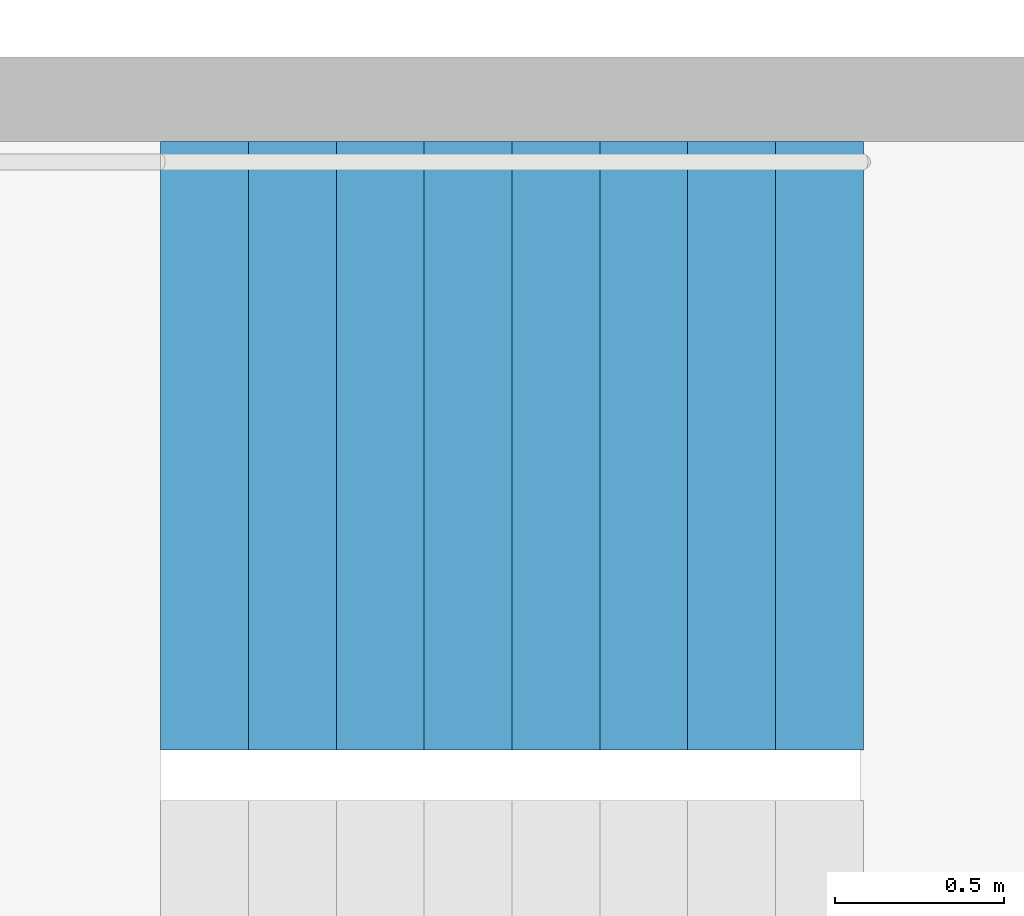
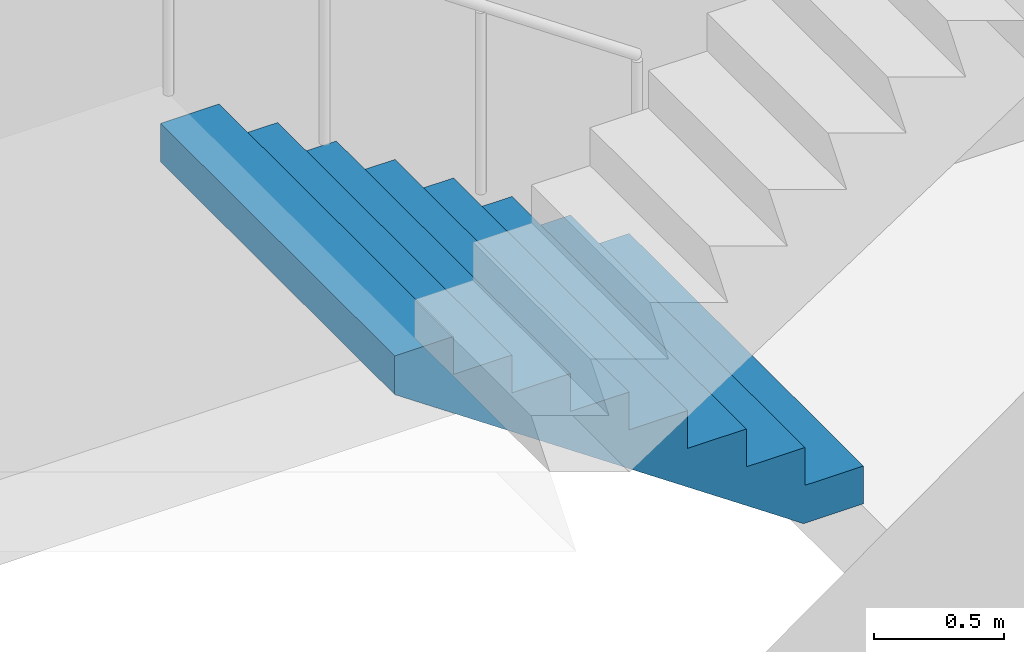
# One storey, part 22 of 29: 1 stair flight, 1 element without a shape of its own.
"""IFC4 building model written with IfcOpenShell, lengths in metres."""

from ifc_helpers import new_model, si_unit, direction, frame, origin, place, context, subcontext, project, spatial, triangles, material, type_object, element, aggregate, save


model = new_model("IFC4")

# Units and contexts
model_context = context("Model", 3, precision=1e-05, world=origin(), true_north=direction((0.0, 1.0)))
body_context = subcontext(model_context, "Body", "Model", "MODEL_VIEW")
ifc_project = project(units=[si_unit("LENGTHUNIT", "METRE"), si_unit("AREAUNIT", "SQUARE_METRE"), si_unit("VOLUMEUNIT", "CUBIC_METRE"), si_unit("PLANEANGLEUNIT", "RADIAN"), si_unit("MASSUNIT", "GRAM", prefix="KILO")], contexts=[model_context])

# Site, building, storey
site_placement = place(None, origin())
site = spatial("IfcSite", under=ifc_project, at=site_placement, CompositionType="ELEMENT")
building_placement = place(site_placement, origin())
building = spatial("IfcBuilding", under=site, at=building_placement, Name="Hakoniwa Tower and Hamabe Station Hall", CompositionType="ELEMENT")
storey_placement = place(building_placement, frame((0.0, 0.0, 101.0)))
storey = spatial("IfcBuildingStorey", under=building, at=storey_placement, Name="L28", CompositionType="ELEMENT", Elevation=101.0)

# Stair, stair flight
ifc_material_1 = material(Name="Concrete C40", Category="concrete")
stair_type = type_object("IfcStairType", Name="ESCAPE STAIR 1800", PredefinedType="HALF_TURN_STAIR", material=ifc_material_1)
stair_placement = place(storey_placement, origin())
stair = element("IfcStair", 1, at=stair_placement, inside=storey, type_object=stair_type, Name="Escape stair ST-2 L28", PredefinedType="HALF_TURN_STAIR")
ifc_material_2 = material(Name="Concrete C40", Category="concrete")
stair_flight_type = type_object("IfcStairFlightType", Name="STAIR FLIGHT 1800", PredefinedType="STRAIGHT", material=ifc_material_2)
stair_flight_placement = place(storey_placement, frame((-23.39990234375, -4.64990234375, 0.0), z_axis=(0.0, 0.0, 1.0), x_axis=(-1.0, 0.0, 0.0)))
stair_flight = element("IfcStairFlight", 2, at=stair_flight_placement, type_object=stair_flight_type, Name="ST-2 flight 1", NumberOfRisers=9, NumberOfTreads=8, PredefinedType="STRAIGHT", RiserHeight=0.177777778, TreadLength=0.26, context=body_context, shape_type="Tessellation", body=[
    triangles([(0.0, 0.89990234375, 0.0), (0.260009765625, 0.89990234375, 0.0), (0.265625, 0.89990234375, 0.0), (0.52001953125, 0.89990234375, 0.174072265625), (0.780029296875, 0.89990234375, 0.351806640625), (1.0400390625, 0.89990234375, 0.529541015625), (1.300048828125, 0.89990234375, 0.707275390625), (1.56005859375, 0.89990234375, 0.885009765625), (1.820068359375, 0.89990234375, 1.062744140625), (2.080078125, 0.89990234375, 1.24072265625), (2.080078125, 0.89990234375, 1.422119140625), (1.820068359375, 0.89990234375, 1.422119140625), (1.820068359375, 0.89990234375, 1.244384765625), (1.56005859375, 0.89990234375, 1.244384765625), (1.56005859375, 0.89990234375, 1.066650390625), (1.300048828125, 0.89990234375, 1.066650390625), (1.300048828125, 0.89990234375, 0.888916015625), (1.0400390625, 0.89990234375, 0.888916015625), (1.0400390625, 0.89990234375, 0.711181640625), (0.780029296875, 0.89990234375, 0.711181640625), (0.780029296875, 0.89990234375, 0.533447265625), (0.52001953125, 0.89990234375, 0.533447265625), (0.52001953125, 0.89990234375, 0.35546875), (0.265625, 0.89990234375, 0.35546875), (0.260009765625, 0.89990234375, 0.35546875), (0.260009765625, 0.89990234375, 0.177734375), (0.0, 0.89990234375, 0.177734375), (0.0, 0.06005859375, 0.0), (0.260009765625, 0.06005859375, 0.0), (0.265625, 0.06005859375, 0.0), (0.52001953125, 0.06005859375, 0.174072265625), (0.780029296875, 0.06005859375, 0.351806640625), (1.0400390625, 0.06005859375, 0.529541015625), (1.300048828125, 0.06005859375, 0.707275390625), (1.56005859375, 0.06005859375, 0.885009765625), (1.820068359375, 0.06005859375, 1.062744140625), (2.080078125, 0.06005859375, 1.24072265625), (2.080078125, 0.06005859375, 1.422119140625), (1.820068359375, 0.06005859375, 1.422119140625), (1.820068359375, 0.06005859375, 1.244384765625), (1.56005859375, 0.06005859375, 1.244384765625), (1.56005859375, 0.06005859375, 1.066650390625), (1.300048828125, 0.06005859375, 1.066650390625), (1.300048828125, 0.06005859375, 0.888916015625), (1.0400390625, 0.06005859375, 0.888916015625), (1.0400390625, 0.06005859375, 0.711181640625), (0.780029296875, 0.06005859375, 0.711181640625), (0.780029296875, 0.06005859375, 0.533447265625), (0.52001953125, 0.06005859375, 0.533447265625), (0.52001953125, 0.06005859375, 0.35546875), (0.265625, 0.06005859375, 0.35546875), (0.260009765625, 0.06005859375, 0.35546875), (0.260009765625, 0.06005859375, 0.177734375), (0.0, 0.06005859375, 0.177734375), (0.0, 0.04296875, 0.0), (0.260009765625, 0.04296875, 0.0), (0.265625, 0.04296875, 0.0), (0.52001953125, 0.04296875, 0.174072265625), (0.780029296875, 0.04296875, 0.351806640625), (1.0400390625, 0.04296875, 0.529541015625), (1.300048828125, 0.04296875, 0.707275390625), (1.56005859375, 0.04296875, 0.885009765625), (1.820068359375, 0.04296875, 1.062744140625), (2.080078125, 0.04296875, 1.24072265625), (2.080078125, 0.04296875, 1.422119140625), (1.820068359375, 0.04296875, 1.422119140625), (1.820068359375, 0.04296875, 1.244384765625), (1.56005859375, 0.04296875, 1.244384765625), (1.56005859375, 0.04296875, 1.066650390625), (1.300048828125, 0.04296875, 1.066650390625), (1.300048828125, 0.04296875, 0.888916015625), (1.0400390625, 0.04296875, 0.888916015625), (1.0400390625, 0.04296875, 0.711181640625), (0.780029296875, 0.04296875, 0.711181640625), (0.780029296875, 0.04296875, 0.533447265625), (0.52001953125, 0.04296875, 0.533447265625), (0.52001953125, 0.04296875, 0.35546875), (0.265625, 0.04296875, 0.35546875), (0.260009765625, 0.04296875, 0.35546875), (0.260009765625, 0.04296875, 0.177734375), (0.0, 0.04296875, 0.177734375), (0.0, 0.025634765625, 0.0), (0.260009765625, 0.025634765625, 0.0), (0.265625, 0.025634765625, 0.0), (0.52001953125, 0.025634765625, 0.174072265625), (0.780029296875, 0.025634765625, 0.351806640625), (1.0400390625, 0.025634765625, 0.529541015625), (1.300048828125, 0.025634765625, 0.707275390625), (1.56005859375, 0.025634765625, 0.885009765625), (1.820068359375, 0.025634765625, 1.062744140625), (2.080078125, 0.025634765625, 1.24072265625), (2.080078125, 0.025634765625, 1.422119140625), (1.820068359375, 0.025634765625, 1.422119140625), (1.820068359375, 0.025634765625, 1.244384765625), (1.56005859375, 0.025634765625, 1.244384765625), (1.56005859375, 0.025634765625, 1.066650390625), (1.300048828125, 0.025634765625, 1.066650390625), (1.300048828125, 0.025634765625, 0.888916015625), (1.0400390625, 0.025634765625, 0.888916015625), (1.0400390625, 0.025634765625, 0.711181640625), (0.780029296875, 0.025634765625, 0.711181640625), (0.780029296875, 0.025634765625, 0.533447265625), (0.52001953125, 0.025634765625, 0.533447265625), (0.52001953125, 0.025634765625, 0.35546875), (0.265625, 0.025634765625, 0.35546875), (0.260009765625, 0.025634765625, 0.35546875), (0.260009765625, 0.025634765625, 0.177734375), (0.0, 0.025634765625, 0.177734375), (0.0, 0.008544921875, 0.0), (0.260009765625, 0.008544921875, 0.0), (0.265625, 0.008544921875, 0.0), (0.52001953125, 0.008544921875, 0.174072265625), (0.780029296875, 0.008544921875, 0.351806640625), (1.0400390625, 0.008544921875, 0.529541015625), (1.300048828125, 0.008544921875, 0.707275390625), (1.56005859375, 0.008544921875, 0.885009765625), (1.820068359375, 0.008544921875, 1.062744140625), (2.080078125, 0.008544921875, 1.24072265625), (2.080078125, 0.008544921875, 1.422119140625), (1.820068359375, 0.008544921875, 1.422119140625), (1.820068359375, 0.008544921875, 1.244384765625), (1.56005859375, 0.008544921875, 1.244384765625), (1.56005859375, 0.008544921875, 1.066650390625), (1.300048828125, 0.008544921875, 1.066650390625), (1.300048828125, 0.008544921875, 0.888916015625), (1.0400390625, 0.008544921875, 0.888916015625), (1.0400390625, 0.008544921875, 0.711181640625), (0.780029296875, 0.008544921875, 0.711181640625), (0.780029296875, 0.008544921875, 0.533447265625), (0.52001953125, 0.008544921875, 0.533447265625), (0.52001953125, 0.008544921875, 0.35546875), (0.265625, 0.008544921875, 0.35546875), (0.260009765625, 0.008544921875, 0.35546875), (0.260009765625, 0.008544921875, 0.177734375), (0.0, 0.008544921875, 0.177734375), (0.0, -0.008544921875, 0.0), (0.260009765625, -0.008544921875, 0.0), (0.265625, -0.008544921875, 0.0), (0.52001953125, -0.008544921875, 0.174072265625), (0.780029296875, -0.008544921875, 0.351806640625), (1.0400390625, -0.008544921875, 0.529541015625), (1.300048828125, -0.008544921875, 0.707275390625), (1.56005859375, -0.008544921875, 0.885009765625), (1.820068359375, -0.008544921875, 1.062744140625), (2.080078125, -0.008544921875, 1.24072265625), (2.080078125, -0.008544921875, 1.422119140625), (1.820068359375, -0.008544921875, 1.422119140625), (1.820068359375, -0.008544921875, 1.244384765625), (1.56005859375, -0.008544921875, 1.244384765625), (1.56005859375, -0.008544921875, 1.066650390625), (1.300048828125, -0.008544921875, 1.066650390625), (1.300048828125, -0.008544921875, 0.888916015625), (1.0400390625, -0.008544921875, 0.888916015625), (1.0400390625, -0.008544921875, 0.711181640625), (0.780029296875, -0.008544921875, 0.711181640625), (0.780029296875, -0.008544921875, 0.533447265625), (0.52001953125, -0.008544921875, 0.533447265625), (0.52001953125, -0.008544921875, 0.35546875), (0.265625, -0.008544921875, 0.35546875), (0.260009765625, -0.008544921875, 0.35546875), (0.260009765625, -0.008544921875, 0.177734375), (0.0, -0.008544921875, 0.177734375), (0.0, -0.025634765625, 0.0), (0.260009765625, -0.025634765625, 0.0), (0.265625, -0.025634765625, 0.0), (0.52001953125, -0.025634765625, 0.174072265625), (0.780029296875, -0.025634765625, 0.351806640625), (1.0400390625, -0.025634765625, 0.529541015625), (1.300048828125, -0.025634765625, 0.707275390625), (1.56005859375, -0.025634765625, 0.885009765625), (1.820068359375, -0.025634765625, 1.062744140625), (2.080078125, -0.025634765625, 1.24072265625), (2.080078125, -0.025634765625, 1.422119140625), (1.820068359375, -0.025634765625, 1.422119140625), (1.820068359375, -0.025634765625, 1.244384765625), (1.56005859375, -0.025634765625, 1.244384765625), (1.56005859375, -0.025634765625, 1.066650390625), (1.300048828125, -0.025634765625, 1.066650390625), (1.300048828125, -0.025634765625, 0.888916015625), (1.0400390625, -0.025634765625, 0.888916015625), (1.0400390625, -0.025634765625, 0.711181640625), (0.780029296875, -0.025634765625, 0.711181640625), (0.780029296875, -0.025634765625, 0.533447265625), (0.52001953125, -0.025634765625, 0.533447265625), (0.52001953125, -0.025634765625, 0.35546875), (0.265625, -0.025634765625, 0.35546875), (0.260009765625, -0.025634765625, 0.35546875), (0.260009765625, -0.025634765625, 0.177734375), (0.0, -0.025634765625, 0.177734375), (0.0, -0.04296875, 0.0), (0.260009765625, -0.04296875, 0.0), (0.265625, -0.04296875, 0.0), (0.52001953125, -0.04296875, 0.174072265625), (0.780029296875, -0.04296875, 0.351806640625), (1.0400390625, -0.04296875, 0.529541015625), (1.300048828125, -0.04296875, 0.707275390625), (1.56005859375, -0.04296875, 0.885009765625), (1.820068359375, -0.04296875, 1.062744140625), (2.080078125, -0.04296875, 1.24072265625), (2.080078125, -0.04296875, 1.422119140625), (1.820068359375, -0.04296875, 1.422119140625), (1.820068359375, -0.04296875, 1.244384765625), (1.56005859375, -0.04296875, 1.244384765625), (1.56005859375, -0.04296875, 1.066650390625), (1.300048828125, -0.04296875, 1.066650390625), (1.300048828125, -0.04296875, 0.888916015625), (1.0400390625, -0.04296875, 0.888916015625), (1.0400390625, -0.04296875, 0.711181640625), (0.780029296875, -0.04296875, 0.711181640625), (0.780029296875, -0.04296875, 0.533447265625), (0.52001953125, -0.04296875, 0.533447265625), (0.52001953125, -0.04296875, 0.35546875), (0.265625, -0.04296875, 0.35546875), (0.260009765625, -0.04296875, 0.35546875), (0.260009765625, -0.04296875, 0.177734375), (0.0, -0.04296875, 0.177734375), (0.0, -0.06005859375, 0.0), (0.260009765625, -0.06005859375, 0.0), (0.265625, -0.06005859375, 0.0), (0.52001953125, -0.06005859375, 0.174072265625), (0.780029296875, -0.06005859375, 0.351806640625), (1.0400390625, -0.06005859375, 0.529541015625), (1.300048828125, -0.06005859375, 0.707275390625), (1.56005859375, -0.06005859375, 0.885009765625), (1.820068359375, -0.06005859375, 1.062744140625), (2.080078125, -0.06005859375, 1.24072265625), (2.080078125, -0.06005859375, 1.422119140625), (1.820068359375, -0.06005859375, 1.422119140625), (1.820068359375, -0.06005859375, 1.244384765625), (1.56005859375, -0.06005859375, 1.244384765625), (1.56005859375, -0.06005859375, 1.066650390625), (1.300048828125, -0.06005859375, 1.066650390625), (1.300048828125, -0.06005859375, 0.888916015625), (1.0400390625, -0.06005859375, 0.888916015625), (1.0400390625, -0.06005859375, 0.711181640625), (0.780029296875, -0.06005859375, 0.711181640625), (0.780029296875, -0.06005859375, 0.533447265625), (0.52001953125, -0.06005859375, 0.533447265625), (0.52001953125, -0.06005859375, 0.35546875), (0.265625, -0.06005859375, 0.35546875), (0.260009765625, -0.06005859375, 0.35546875), (0.260009765625, -0.06005859375, 0.177734375), (0.0, -0.06005859375, 0.177734375), (0.0, -0.89990234375, 0.0), (0.260009765625, -0.89990234375, 0.0), (0.265625, -0.89990234375, 0.0), (0.52001953125, -0.89990234375, 0.174072265625), (0.780029296875, -0.89990234375, 0.351806640625), (1.0400390625, -0.89990234375, 0.529541015625), (1.300048828125, -0.89990234375, 0.707275390625), (1.56005859375, -0.89990234375, 0.885009765625), (1.820068359375, -0.89990234375, 1.062744140625), (2.080078125, -0.89990234375, 1.24072265625), (2.080078125, -0.89990234375, 1.422119140625), (1.820068359375, -0.89990234375, 1.422119140625), (1.820068359375, -0.89990234375, 1.244384765625), (1.56005859375, -0.89990234375, 1.244384765625), (1.56005859375, -0.89990234375, 1.066650390625), (1.300048828125, -0.89990234375, 1.066650390625), (1.300048828125, -0.89990234375, 0.888916015625), (1.0400390625, -0.89990234375, 0.888916015625), (1.0400390625, -0.89990234375, 0.711181640625), (0.780029296875, -0.89990234375, 0.711181640625), (0.780029296875, -0.89990234375, 0.533447265625), (0.52001953125, -0.89990234375, 0.533447265625), (0.52001953125, -0.89990234375, 0.35546875), (0.265625, -0.89990234375, 0.35546875), (0.260009765625, -0.89990234375, 0.35546875), (0.260009765625, -0.89990234375, 0.177734375), (0.0, -0.89990234375, 0.177734375)], [[2, 27, 26], [245, 269, 270], [2, 1, 27], [245, 270, 244], [3, 25, 24], [246, 267, 268], [3, 26, 25], [246, 268, 269], [3, 2, 26], [246, 269, 245], [4, 24, 23], [247, 266, 267], [4, 3, 24], [247, 267, 246], [5, 22, 21], [248, 264, 265], [5, 23, 22], [248, 265, 266], [5, 4, 23], [248, 266, 247], [6, 20, 19], [249, 262, 263], [6, 21, 20], [249, 263, 264], [6, 5, 21], [249, 264, 248], [7, 18, 17], [250, 260, 261], [7, 19, 18], [250, 261, 262], [7, 6, 19], [250, 262, 249], [8, 16, 15], [251, 258, 259], [8, 17, 16], [251, 259, 260], [8, 7, 17], [251, 260, 250], [9, 14, 13], [252, 256, 257], [9, 15, 14], [252, 257, 258], [9, 8, 15], [252, 258, 251], [10, 12, 11], [253, 254, 255], [10, 13, 12], [253, 255, 256], [10, 9, 13], [253, 256, 252], [1, 2, 29], [1, 29, 28], [28, 29, 56], [28, 56, 55], [55, 56, 83], [55, 83, 82], [82, 83, 110], [82, 110, 109], [109, 110, 137], [109, 137, 136], [136, 137, 164], [136, 164, 163], [163, 164, 191], [163, 191, 190], [190, 191, 218], [190, 218, 217], [217, 218, 245], [217, 245, 244], [2, 3, 30], [2, 30, 29], [29, 30, 57], [29, 57, 56], [56, 57, 84], [56, 84, 83], [83, 84, 111], [83, 111, 110], [110, 111, 138], [110, 138, 137], [137, 138, 165], [137, 165, 164], [164, 165, 192], [164, 192, 191], [191, 192, 219], [191, 219, 218], [218, 219, 246], [218, 246, 245], [3, 4, 31], [3, 31, 30], [30, 31, 58], [30, 58, 57], [57, 58, 85], [57, 85, 84], [84, 85, 112], [84, 112, 111], [111, 112, 139], [111, 139, 138], [138, 139, 166], [138, 166, 165], [165, 166, 193], [165, 193, 192], [192, 193, 220], [192, 220, 219], [219, 220, 247], [219, 247, 246], [4, 5, 32], [4, 32, 31], [31, 32, 59], [31, 59, 58], [58, 59, 86], [58, 86, 85], [85, 86, 113], [85, 113, 112], [112, 113, 140], [112, 140, 139], [139, 140, 167], [139, 167, 166], [166, 167, 194], [166, 194, 193], [193, 194, 221], [193, 221, 220], [220, 221, 248], [220, 248, 247], [5, 6, 33], [5, 33, 32], [32, 33, 60], [32, 60, 59], [59, 60, 87], [59, 87, 86], [86, 87, 114], [86, 114, 113], [113, 114, 141], [113, 141, 140], [140, 141, 168], [140, 168, 167], [167, 168, 195], [167, 195, 194], [194, 195, 222], [194, 222, 221], [221, 222, 249], [221, 249, 248], [6, 7, 34], [6, 34, 33], [33, 34, 61], [33, 61, 60], [60, 61, 88], [60, 88, 87], [87, 88, 115], [87, 115, 114], [114, 115, 142], [114, 142, 141], [141, 142, 169], [141, 169, 168], [168, 169, 196], [168, 196, 195], [195, 196, 223], [195, 223, 222], [222, 223, 250], [222, 250, 249], [7, 8, 35], [7, 35, 34], [34, 35, 62], [34, 62, 61], [61, 62, 89], [61, 89, 88], [88, 89, 116], [88, 116, 115], [115, 116, 143], [115, 143, 142], [142, 143, 170], [142, 170, 169], [169, 170, 197], [169, 197, 196], [196, 197, 224], [196, 224, 223], [223, 224, 251], [223, 251, 250], [8, 9, 36], [8, 36, 35], [35, 36, 63], [35, 63, 62], [62, 63, 90], [62, 90, 89], [89, 90, 117], [89, 117, 116], [116, 117, 144], [116, 144, 143], [143, 144, 171], [143, 171, 170], [170, 171, 198], [170, 198, 197], [197, 198, 225], [197, 225, 224], [224, 225, 252], [224, 252, 251], [9, 10, 37], [9, 37, 36], [36, 37, 64], [36, 64, 63], [63, 64, 91], [63, 91, 90], [90, 91, 118], [90, 118, 117], [117, 118, 145], [117, 145, 144], [144, 145, 172], [144, 172, 171], [171, 172, 199], [171, 199, 198], [198, 199, 226], [198, 226, 225], [225, 226, 253], [225, 253, 252], [10, 11, 38], [10, 38, 37], [37, 38, 65], [37, 65, 64], [64, 65, 92], [64, 92, 91], [91, 92, 119], [91, 119, 118], [118, 119, 146], [118, 146, 145], [145, 146, 173], [145, 173, 172], [172, 173, 200], [172, 200, 199], [199, 200, 227], [199, 227, 226], [226, 227, 254], [226, 254, 253], [11, 12, 39], [11, 39, 38], [38, 39, 66], [38, 66, 65], [65, 66, 93], [65, 93, 92], [92, 93, 120], [92, 120, 119], [119, 120, 147], [119, 147, 146], [146, 147, 174], [146, 174, 173], [173, 174, 201], [173, 201, 200], [200, 201, 228], [200, 228, 227], [227, 228, 255], [227, 255, 254], [12, 13, 40], [12, 40, 39], [39, 40, 67], [39, 67, 66], [66, 67, 94], [66, 94, 93], [93, 94, 121], [93, 121, 120], [120, 121, 148], [120, 148, 147], [147, 148, 175], [147, 175, 174], [174, 175, 202], [174, 202, 201], [201, 202, 229], [201, 229, 228], [228, 229, 256], [228, 256, 255], [13, 14, 41], [13, 41, 40], [40, 41, 68], [40, 68, 67], [67, 68, 95], [67, 95, 94], [94, 95, 122], [94, 122, 121], [121, 122, 149], [121, 149, 148], [148, 149, 176], [148, 176, 175], [175, 176, 203], [175, 203, 202], [202, 203, 230], [202, 230, 229], [229, 230, 257], [229, 257, 256], [14, 15, 42], [14, 42, 41], [41, 42, 69], [41, 69, 68], [68, 69, 96], [68, 96, 95], [95, 96, 123], [95, 123, 122], [122, 123, 150], [122, 150, 149], [149, 150, 177], [149, 177, 176], [176, 177, 204], [176, 204, 203], [203, 204, 231], [203, 231, 230], [230, 231, 258], [230, 258, 257], [15, 16, 43], [15, 43, 42], [42, 43, 70], [42, 70, 69], [69, 70, 97], [69, 97, 96], [96, 97, 124], [96, 124, 123], [123, 124, 151], [123, 151, 150], [150, 151, 178], [150, 178, 177], [177, 178, 205], [177, 205, 204], [204, 205, 232], [204, 232, 231], [231, 232, 259], [231, 259, 258], [16, 17, 44], [16, 44, 43], [43, 44, 71], [43, 71, 70], [70, 71, 98], [70, 98, 97], [97, 98, 125], [97, 125, 124], [124, 125, 152], [124, 152, 151], [151, 152, 179], [151, 179, 178], [178, 179, 206], [178, 206, 205], [205, 206, 233], [205, 233, 232], [232, 233, 260], [232, 260, 259], [17, 18, 45], [17, 45, 44], [44, 45, 72], [44, 72, 71], [71, 72, 99], [71, 99, 98], [98, 99, 126], [98, 126, 125], [125, 126, 153], [125, 153, 152], [152, 153, 180], [152, 180, 179], [179, 180, 207], [179, 207, 206], [206, 207, 234], [206, 234, 233], [233, 234, 261], [233, 261, 260], [18, 19, 46], [18, 46, 45], [45, 46, 73], [45, 73, 72], [72, 73, 100], [72, 100, 99], [99, 100, 127], [99, 127, 126], [126, 127, 154], [126, 154, 153], [153, 154, 181], [153, 181, 180], [180, 181, 208], [180, 208, 207], [207, 208, 235], [207, 235, 234], [234, 235, 262], [234, 262, 261], [19, 20, 47], [19, 47, 46], [46, 47, 74], [46, 74, 73], [73, 74, 101], [73, 101, 100], [100, 101, 128], [100, 128, 127], [127, 128, 155], [127, 155, 154], [154, 155, 182], [154, 182, 181], [181, 182, 209], [181, 209, 208], [208, 209, 236], [208, 236, 235], [235, 236, 263], [235, 263, 262], [20, 21, 48], [20, 48, 47], [47, 48, 75], [47, 75, 74], [74, 75, 102], [74, 102, 101], [101, 102, 129], [101, 129, 128], [128, 129, 156], [128, 156, 155], [155, 156, 183], [155, 183, 182], [182, 183, 210], [182, 210, 209], [209, 210, 237], [209, 237, 236], [236, 237, 264], [236, 264, 263], [21, 22, 49], [21, 49, 48], [48, 49, 76], [48, 76, 75], [75, 76, 103], [75, 103, 102], [102, 103, 130], [102, 130, 129], [129, 130, 157], [129, 157, 156], [156, 157, 184], [156, 184, 183], [183, 184, 211], [183, 211, 210], [210, 211, 238], [210, 238, 237], [237, 238, 265], [237, 265, 264], [22, 23, 50], [22, 50, 49], [49, 50, 77], [49, 77, 76], [76, 77, 104], [76, 104, 103], [103, 104, 131], [103, 131, 130], [130, 131, 158], [130, 158, 157], [157, 158, 185], [157, 185, 184], [184, 185, 212], [184, 212, 211], [211, 212, 239], [211, 239, 238], [238, 239, 266], [238, 266, 265], [23, 24, 51], [23, 51, 50], [50, 51, 78], [50, 78, 77], [77, 78, 105], [77, 105, 104], [104, 105, 132], [104, 132, 131], [131, 132, 159], [131, 159, 158], [158, 159, 186], [158, 186, 185], [185, 186, 213], [185, 213, 212], [212, 213, 240], [212, 240, 239], [239, 240, 267], [239, 267, 266], [24, 25, 52], [24, 52, 51], [51, 52, 79], [51, 79, 78], [78, 79, 106], [78, 106, 105], [105, 106, 133], [105, 133, 132], [132, 133, 160], [132, 160, 159], [159, 160, 187], [159, 187, 186], [186, 187, 214], [186, 214, 213], [213, 214, 241], [213, 241, 240], [240, 241, 268], [240, 268, 267], [25, 26, 53], [25, 53, 52], [52, 53, 80], [52, 80, 79], [79, 80, 107], [79, 107, 106], [106, 107, 134], [106, 134, 133], [133, 134, 161], [133, 161, 160], [160, 161, 188], [160, 188, 187], [187, 188, 215], [187, 215, 214], [214, 215, 242], [214, 242, 241], [241, 242, 269], [241, 269, 268], [26, 27, 54], [26, 54, 53], [53, 54, 81], [53, 81, 80], [80, 81, 108], [80, 108, 107], [107, 108, 135], [107, 135, 134], [134, 135, 162], [134, 162, 161], [161, 162, 189], [161, 189, 188], [188, 189, 216], [188, 216, 215], [215, 216, 243], [215, 243, 242], [242, 243, 270], [242, 270, 269], [27, 1, 28], [27, 28, 54], [54, 28, 55], [54, 55, 81], [81, 55, 82], [81, 82, 108], [108, 82, 109], [108, 109, 135], [135, 109, 136], [135, 136, 162], [162, 136, 163], [162, 163, 189], [189, 163, 190], [189, 190, 216], [216, 190, 217], [216, 217, 243], [243, 217, 244], [243, 244, 270]], closed=True),
])
aggregate(stair, [stair_flight])

save(model, "model.ifc")
